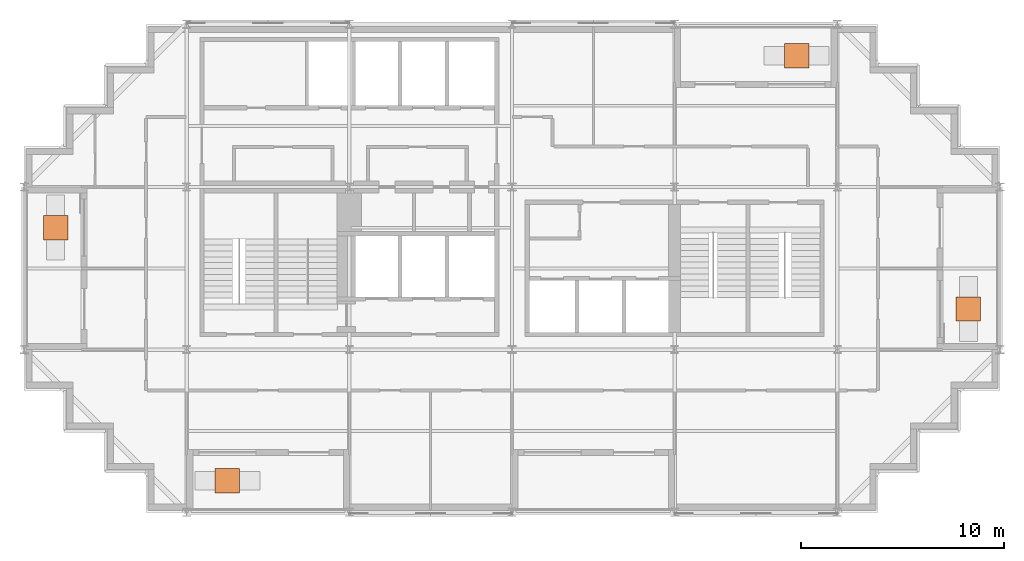
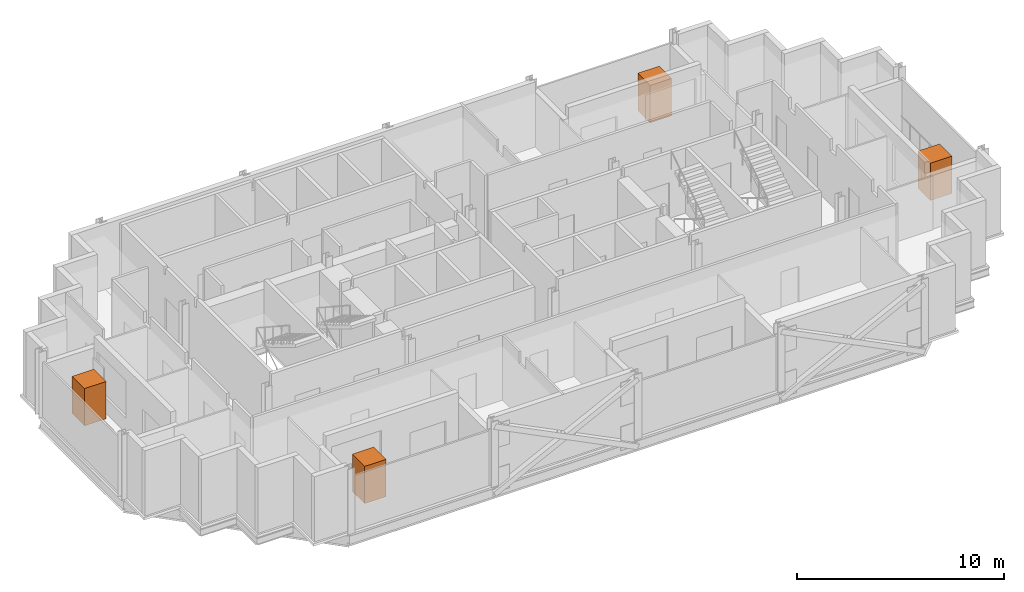
# One storey, part 10 of 10: 4 geographic elements.
"""IFC4 building model written with IfcOpenShell, lengths in metres."""

from ifc_helpers import new_model, si_unit, direction, frame, origin, origin_2d, place, context, subcontext, project, spatial, rectangle, extrude, material, type_object, element, save


model = new_model("IFC4")

# Units and contexts
model_context = context("Model", 3, precision=1e-05, world=origin(), true_north=direction((0.0, 1.0)))
body_context = subcontext(model_context, "Body", "Model", "MODEL_VIEW")
ifc_project = project(units=[si_unit("LENGTHUNIT", "METRE"), si_unit("AREAUNIT", "SQUARE_METRE"), si_unit("VOLUMEUNIT", "CUBIC_METRE"), si_unit("PLANEANGLEUNIT", "RADIAN"), si_unit("MASSUNIT", "GRAM", prefix="KILO")], contexts=[model_context])

# Site, building, storey
site_placement = place(None, origin())
site = spatial("IfcSite", under=ifc_project, at=site_placement, CompositionType="ELEMENT")
building_placement = place(site_placement, origin())
building = spatial("IfcBuilding", under=site, at=building_placement, Name="Immortelle Media Tower", CompositionType="ELEMENT")
storey_placement = place(building_placement, frame((0.0, 0.0, 217.0)))
storey = spatial("IfcBuildingStorey", under=building, at=storey_placement, Name="L46", CompositionType="ELEMENT", Elevation=217.0)

# Geographic elements
ifc_material = material(Name="Tree canopy foliage")
geographic_element_type = type_object("IfcGeographicElementType", Name="Tree", PredefinedType="USERDEFINED", material=ifc_material)
for number, where, z_axis, x_axis, name in (
    (1, (10.0, 1.550048828125, 0.60009765625), (0.0, 0.0, 1.0), (1.0, 0.0, 0.0), "Tree L46 S0"),
    (2, (46.449951171875, 10.0, 0.60009765625), (0.0, 0.0, 1.0), (1.0, 0.0, 0.0), "Tree L46 E0"),
    (3, (38.0, 22.449951171875, 0.60009765625), (0.0, 0.0, 1.0), (1.0, 0.0, 0.0), "Tree L46 N0"),
    (4, (1.550048828125, 14.0, 0.60009765625), (0.0, 0.0, 1.0), (1.0, 0.0, 0.0), "Tree L46 W0"),
):
    element("IfcGeographicElement", number, at=place(storey_placement, frame(where, z_axis=z_axis, x_axis=x_axis)), inside=storey, type_object=geographic_element_type, Name=name, ObjectType="Tree", PredefinedType="USERDEFINED", context=body_context, shape_type="SweptSolid", body=[
        extrude(rectangle(XDim=1.199951171875, YDim=1.199951171875, at=origin_2d()), origin(), (0.0, 0.0, 1.0), 2.199951171875),
    ])

save(model, "model.ifc")
